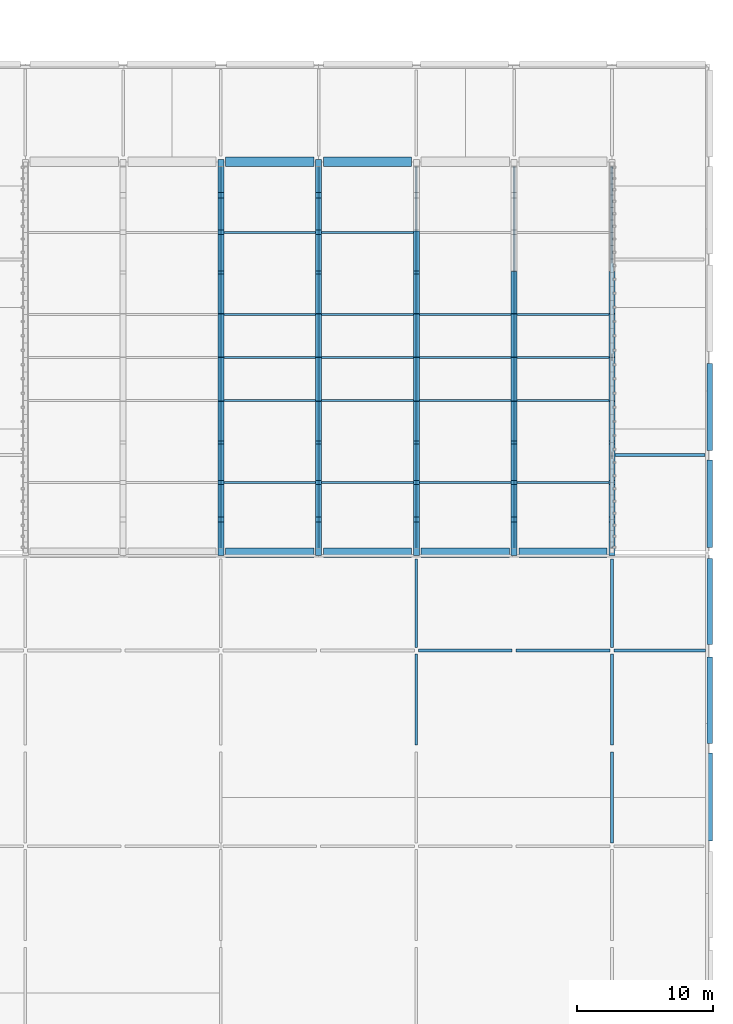
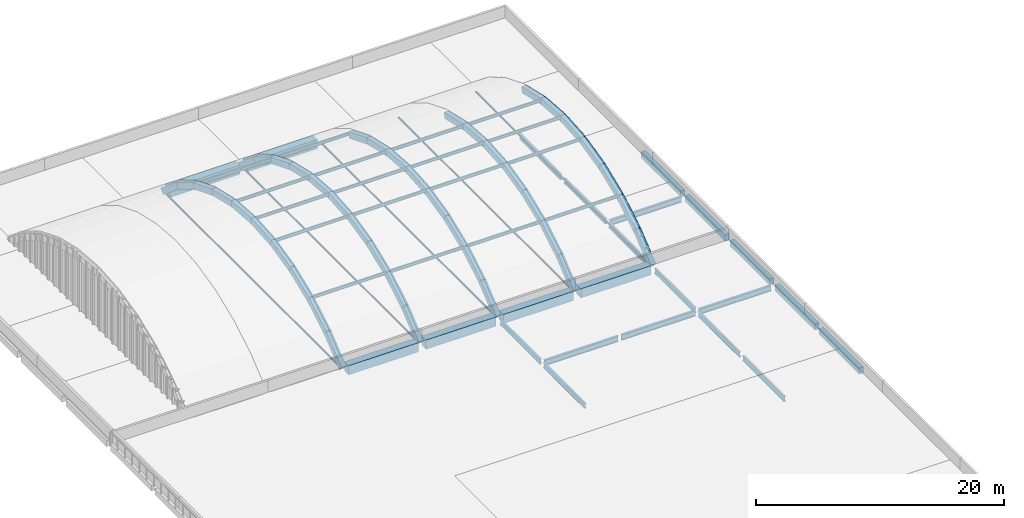
# One storey, part 30 of 71: 83 beams, 5 members.
"""IFC4 building model written with IfcOpenShell, lengths in metres."""

from ifc_helpers import new_model, si_unit, direction, frame, origin, origin_2d, place, context, subcontext, project, spatial, rectangle, hollow_circle, i_section, extrude, material, material_profile, profile_set, type_object, element, save


model = new_model("IFC4")

# Units and contexts
model_context = context("Model", 3, precision=1e-05, world=origin(), true_north=direction((0.0, 1.0)))
body_context = subcontext(model_context, "Body", "Model", "MODEL_VIEW")
ifc_project = project(units=[si_unit("LENGTHUNIT", "METRE"), si_unit("AREAUNIT", "SQUARE_METRE"), si_unit("VOLUMEUNIT", "CUBIC_METRE"), si_unit("PLANEANGLEUNIT", "RADIAN"), si_unit("MASSUNIT", "GRAM", prefix="KILO")], contexts=[model_context])

# Site, building, storey
site_placement = place(None, origin())
site = spatial("IfcSite", under=ifc_project, at=site_placement, CompositionType="ELEMENT")
building_placement = place(site_placement, origin())
building = spatial("IfcBuilding", under=site, at=building_placement, Name="Sardonyx Promenade Sports Hall", CompositionType="ELEMENT")
storey_placement = place(building_placement, frame((0.0, 0.0, 16.0)))
storey = spatial("IfcBuildingStorey", under=building, at=storey_placement, Name="L03", CompositionType="ELEMENT", Elevation=16.0)

# Beams
ifc_material_1 = material(Name="Steel S355JR", Category="steel")
ifc_material_profile_1 = material_profile(ifc_material_1, i_section(OverallWidth=0.199951171875, OverallDepth=0.5, WebThickness=0.01025390625, FlangeThickness=0.01611328125, at=origin_2d()))
ifc_profile_set_1 = profile_set([ifc_material_profile_1], Name="Steel S355JR")
beam_type_1 = type_object("IfcBeamType", Name="Bm_Primary_IPE500", PredefinedType="BEAM", material=ifc_profile_set_1)
beam_1_placement = place(storey_placement, frame((144.0, 36.2451171875, -0.489990234375), z_axis=(0.0, 1.0, 0.0), x_axis=(-1.0, 0.0, 0.0)))
element("IfcBeam", 1, at=beam_1_placement, inside=storey, type_object=beam_type_1, Name="Beam SB06 L03 #908", PredefinedType="BEAM", context=body_context, shape_type="SweptSolid", body=[
    extrude(i_section(OverallWidth=0.199951171875, OverallDepth=0.5, WebThickness=0.01025390625, FlangeThickness=0.01611328125, at=origin_2d()), origin(), (0.0, 0.0, 1.0), 6.7099609375),
])
beam_2_placement = place(storey_placement, frame((144.0, 43.445068359375, -0.489990234375), z_axis=(0.0, 1.0, 0.0), x_axis=(-1.0, 0.0, 0.0)))
element("IfcBeam", 2, at=beam_2_placement, inside=storey, type_object=beam_type_1, Name="Beam SB06 L03 #909", PredefinedType="BEAM", context=body_context, shape_type="SweptSolid", body=[
    extrude(i_section(OverallWidth=0.199951171875, OverallDepth=0.5, WebThickness=0.01025390625, FlangeThickness=0.01611328125, at=origin_2d()), origin(), (0.0, 0.0, 1.0), 6.5048828125),
])
for number, where, z_axis, x_axis, name in (
    (3, (158.39990234375, 29.044921875, -0.489990234375), (0.0, 1.0, 0.0), (-1.0, 0.0, 0.0), "Beam SB06 L03 #916"),
    (4, (158.39990234375, 36.2451171875, -0.489990234375), (0.0, 1.0, 0.0), (-1.0, 0.0, 0.0), "Beam SB06 L03 #917"),
):
    element("IfcBeam", number, at=place(storey_placement, frame(where, z_axis=z_axis, x_axis=x_axis)), inside=storey, type_object=beam_type_1, Name=name, PredefinedType="BEAM", context=body_context, shape_type="SweptSolid", body=[
        extrude(i_section(OverallWidth=0.199951171875, OverallDepth=0.5, WebThickness=0.01025390625, FlangeThickness=0.01611328125, at=origin_2d()), origin(), (0.0, 0.0, 1.0), 6.7099609375),
    ])
for number, where, z_axis, x_axis, name in (
    (5, (158.39990234375, 43.445068359375, -0.489990234375), (0.0, 1.0, 0.0), (-1.0, 0.0, 0.0), "Beam SB06 L03 #918"),
    (6, (158.39990234375, 50.85009765625, -0.47998046875), (0.0, 1.0, 0.0), (-1.0, 0.0, 0.0), "Beam SB06 L03 #919"),
):
    element("IfcBeam", number, at=place(storey_placement, frame(where, z_axis=z_axis, x_axis=x_axis)), inside=storey, type_object=beam_type_1, Name=name, PredefinedType="BEAM", context=body_context, shape_type="SweptSolid", body=[
        extrude(i_section(OverallWidth=0.199951171875, OverallDepth=0.5, WebThickness=0.01025390625, FlangeThickness=0.01611328125, at=origin_2d()), origin(), (0.0, 0.0, 1.0), 6.5048828125),
    ])
for number, where, z_axis, x_axis, name in (
    (7, (158.39990234375, 57.844970703125, -0.47998046875), (0.0, 1.0, 0.0), (-1.0, 0.0, 0.0), "Beam SB06 L03 #920"),
    (8, (158.39990234375, 65.044921875, -0.47998046875), (0.0, 1.0, 0.0), (-1.0, 0.0, 0.0), "Beam SB06 L03 #921"),
):
    element("IfcBeam", number, at=place(storey_placement, frame(where, z_axis=z_axis, x_axis=x_axis)), inside=storey, type_object=beam_type_1, Name=name, PredefinedType="BEAM", context=body_context, shape_type="SweptSolid", body=[
        extrude(i_section(OverallWidth=0.199951171875, OverallDepth=0.5, WebThickness=0.01025390625, FlangeThickness=0.01611328125, at=origin_2d()), origin(), (0.0, 0.0, 1.0), 6.7099609375),
    ])
ifc_material_2 = material(Name="Steel S355JR", Category="steel")
ifc_material_profile_2 = material_profile(ifc_material_2, i_section(OverallWidth=0.2099609375, OverallDepth=0.550048828125, WebThickness=0.010986328125, FlangeThickness=0.01708984375, at=origin_2d()))
ifc_profile_set_2 = profile_set([ifc_material_profile_2], Name="Steel S355JR")
beam_type_2 = type_object("IfcBeamType", Name="Bm_Primary_IPE550", PredefinedType="BEAM", material=ifc_profile_set_2)
beam_3_placement = place(storey_placement, frame((144.14990234375, 43.199951171875, -0.514892578125), z_axis=(1.0, 0.0, 0.0), x_axis=(0.0, 1.0, 0.0)))
element("IfcBeam", 9, at=beam_3_placement, inside=storey, type_object=beam_type_2, Name="Beam SB03 L03 #781", PredefinedType="BEAM", context=body_context, shape_type="SweptSolid", body=[
    extrude(i_section(OverallWidth=0.2099609375, OverallDepth=0.550048828125, WebThickness=0.010986328125, FlangeThickness=0.01708984375, at=origin_2d()), origin(), (0.0, 0.0, 1.0), 6.900146484375),
])
beam_4_placement = place(storey_placement, frame((151.35009765625, 43.199951171875, -0.514892578125), z_axis=(1.0, 0.0, 0.0), x_axis=(0.0, 1.0, 0.0)))
element("IfcBeam", 10, at=beam_4_placement, inside=storey, type_object=beam_type_2, Name="Beam SB03 L03 #782", PredefinedType="BEAM", context=body_context, shape_type="SweptSolid", body=[
    extrude(i_section(OverallWidth=0.2099609375, OverallDepth=0.550048828125, WebThickness=0.010986328125, FlangeThickness=0.01708984375, at=origin_2d()), origin(), (0.0, 0.0, 1.0), 6.89990234375),
])
beam_5_placement = place(storey_placement, frame((158.550048828125, 43.199951171875, -0.514892578125), z_axis=(1.0, 0.0, 0.0), x_axis=(0.0, 1.0, 0.0)))
element("IfcBeam", 11, at=beam_5_placement, inside=storey, type_object=beam_type_2, Name="Beam SB03 L03 #783", PredefinedType="BEAM", context=body_context, shape_type="SweptSolid", body=[
    extrude(i_section(OverallWidth=0.2099609375, OverallDepth=0.550048828125, WebThickness=0.010986328125, FlangeThickness=0.01708984375, at=origin_2d()), origin(), (0.0, 0.0, 1.0), 6.75),
])
beam_6_placement = place(storey_placement, frame((158.550048828125, 57.60009765625, -0.5048828125), z_axis=(1.0, 0.0, 0.0), x_axis=(0.0, 1.0, 0.0)))
element("IfcBeam", 12, at=beam_6_placement, inside=storey, type_object=beam_type_2, Name="Beam SB03 L03 #786", PredefinedType="BEAM", context=body_context, shape_type="SweptSolid", body=[
    extrude(i_section(OverallWidth=0.2099609375, OverallDepth=0.550048828125, WebThickness=0.010986328125, FlangeThickness=0.01708984375, at=origin_2d()), origin(), (0.0, 0.0, 1.0), 6.699951171875),
])
ifc_material_3 = material(Name="Concrete C40/50", Category="concrete")
ifc_material_profile_3 = material_profile(ifc_material_3, rectangle(XDim=0.699951171875, YDim=0.89990234375, at=origin_2d()))
ifc_profile_set_3 = profile_set([ifc_material_profile_3], Name="Concrete C40/50")
beam_type_3 = type_object("IfcBeamType", Name="Bm_Ring_Prac", PredefinedType="BEAM", material=ifc_profile_set_3)
for number, where, z_axis, x_axis, name in (
    (13, (129.945068359375, 50.39990234375, -0.449951171875), (1.0, 0.0, 0.0), (0.0, 1.0, 0.0), "Vault springing ring beam RB2 V2 S3"),
    (14, (129.945068359375, 79.199951171875, -0.449951171875), (1.0, 0.0, 0.0), (0.0, 1.0, 0.0), "Vault springing ring beam RB2 V2 N3"),
    (15, (137.14501953125, 50.39990234375, -0.449951171875), (1.0, 0.0, 0.0), (0.0, 1.0, 0.0), "Vault springing ring beam RB2 V2 S4"),
    (16, (137.14501953125, 79.199951171875, -0.449951171875), (1.0, 0.0, 0.0), (0.0, 1.0, 0.0), "Vault springing ring beam RB2 V2 N4"),
    (17, (144.344970703125, 50.39990234375, -0.449951171875), (1.0, 0.0, 0.0), (0.0, 1.0, 0.0), "Vault springing ring beam RB2 V2 S5"),
    (18, (151.544921875, 50.39990234375, -0.449951171875), (1.0, 0.0, 0.0), (0.0, 1.0, 0.0), "Vault springing ring beam RB2 V2 S6"),
):
    element("IfcBeam", number, at=place(storey_placement, frame(where, z_axis=z_axis, x_axis=x_axis)), inside=storey, type_object=beam_type_3, Name=name, PredefinedType="BEAM", context=body_context, shape_type="SweptSolid", body=[
        extrude(rectangle(XDim=0.699951171875, YDim=0.89990234375, at=origin_2d()), origin(), (0.0, 0.0, 1.0), 6.510009765625),
    ])
ifc_material_4 = material(Name="Concrete C40/50", Category="concrete")
ifc_material_profile_4 = material_profile(ifc_material_4, rectangle(XDim=0.39990234375, YDim=0.60009765625, at=origin_2d()))
ifc_profile_set_4 = profile_set([ifc_material_profile_4], Name="Concrete C40/50")
beam_type_4 = type_object("IfcBeamType", Name="Bm_Spandrel_RC600", PredefinedType="SPANDREL", material=ifc_profile_set_4)
beam_7_placement = place(storey_placement, frame((165.60009765625, 29.199951171875, -0.300048828125), z_axis=(0.0, 1.0, 0.0), x_axis=(-1.0, 0.0, 0.0)))
element("IfcBeam", 19, at=beam_7_placement, inside=storey, type_object=beam_type_4, Name="Beam SPB1 L03 #928", PredefinedType="SPANDREL", context=body_context, shape_type="SweptSolid", body=[
    extrude(rectangle(XDim=0.39990234375, YDim=0.60009765625, at=origin_2d()), origin(), (0.0, 0.0, 1.0), 6.449951171875),
])
beam_8_placement = place(storey_placement, frame((165.60009765625, 36.35009765625, -0.300048828125), z_axis=(0.0, 1.0, 0.0), x_axis=(-1.0, 0.0, 0.0)))
element("IfcBeam", 20, at=beam_8_placement, inside=storey, type_object=beam_type_4, Name="Beam SPB1 L03 #929", PredefinedType="SPANDREL", context=body_context, shape_type="SweptSolid", body=[
    extrude(rectangle(XDim=0.39990234375, YDim=0.60009765625, at=origin_2d()), origin(), (0.0, 0.0, 1.0), 6.39990234375),
])
beam_9_placement = place(storey_placement, frame((165.60009765625, 43.64990234375, -0.300048828125), z_axis=(0.0, 1.0, 0.0), x_axis=(-1.0, 0.0, 0.0)))
element("IfcBeam", 21, at=beam_9_placement, inside=storey, type_object=beam_type_4, Name="Beam SPB1 L03 #930", PredefinedType="SPANDREL", context=body_context, shape_type="SweptSolid", body=[
    extrude(rectangle(XDim=0.39990234375, YDim=0.60009765625, at=origin_2d()), origin(), (0.0, 0.0, 1.0), 6.35009765625),
])
beam_10_placement = place(storey_placement, frame((165.60009765625, 50.800048828125, -0.300048828125), z_axis=(0.0, 1.0, 0.0), x_axis=(-1.0, 0.0, 0.0)))
element("IfcBeam", 22, at=beam_10_placement, inside=storey, type_object=beam_type_4, Name="Beam SPB1 L03 #931", PredefinedType="SPANDREL", context=body_context, shape_type="SweptSolid", body=[
    extrude(rectangle(XDim=0.39990234375, YDim=0.60009765625, at=origin_2d()), origin(), (0.0, 0.0, 1.0), 6.449951171875),
])
beam_11_placement = place(storey_placement, frame((165.60009765625, 57.949951171875, -0.300048828125), z_axis=(0.0, 1.0, 0.0), x_axis=(-1.0, 0.0, 0.0)))
element("IfcBeam", 23, at=beam_11_placement, inside=storey, type_object=beam_type_4, Name="Beam SPB1 L03 #932", PredefinedType="SPANDREL", context=body_context, shape_type="SweptSolid", body=[
    extrude(rectangle(XDim=0.39990234375, YDim=0.60009765625, at=origin_2d()), origin(), (0.0, 0.0, 1.0), 6.400146484375),
])
ifc_material_5 = material(Name="Steel S355JR", Category="steel")
ifc_material_profile_5 = material_profile(ifc_material_5, i_section(OverallWidth=0.14990234375, OverallDepth=0.300048828125, WebThickness=0.007080078125, FlangeThickness=0.0107421875, at=origin_2d()))
ifc_profile_set_5 = profile_set([ifc_material_profile_5], Name="Steel S355JR")
beam_type_5 = type_object("IfcBeamType", Name="Bm_VaultPurlin_Ext", PredefinedType="BEAM", material=ifc_profile_set_5)
for number, where, z_axis, x_axis, name in (
    (24, (129.822998046875, 55.58642578125, 3.47509765625), (1.0, 0.0, 0.0), (0.0, 1.0, 0.0), "Vault longitudinal purlin V2 bay 3 line 2"),
    (25, (129.822998046875, 61.63037109375, 5.38671875), (1.0, 0.0, 0.0), (0.0, 1.0, 0.0), "Vault longitudinal purlin V2 bay 3 line 4"),
    (26, (129.822998046875, 64.800048828125, 5.6298828125), (1.0, 0.0, 0.0), (0.0, 1.0, 0.0), "Vault longitudinal purlin V2 bay 3 line 5"),
    (27, (129.822998046875, 67.969482421875, 5.38671875), (1.0, 0.0, 0.0), (0.0, 1.0, 0.0), "Vault longitudinal purlin V2 bay 3 line 6"),
    (28, (129.822998046875, 74.013671875, 3.47509765625), (1.0, 0.0, 0.0), (0.0, 1.0, 0.0), "Vault longitudinal purlin V2 bay 3 line 8"),
):
    element("IfcBeam", number, at=place(storey_placement, frame(where, z_axis=z_axis, x_axis=x_axis)), inside=storey, type_object=beam_type_5, Name=name, PredefinedType="BEAM", context=body_context, shape_type="SweptSolid", body=[
        extrude(i_section(OverallWidth=0.14990234375, OverallDepth=0.300048828125, WebThickness=0.007080078125, FlangeThickness=0.0107421875, at=origin_2d()), origin(), (0.0, 0.0, 1.0), 6.75390625),
    ])
for number, where, z_axis, x_axis, name in (
    (29, (137.02294921875, 55.58642578125, 3.47509765625), (1.0, 0.0, 0.0), (0.0, 1.0, 0.0), "Vault longitudinal purlin V2 bay 4 line 2"),
    (30, (137.02294921875, 61.63037109375, 5.38671875), (1.0, 0.0, 0.0), (0.0, 1.0, 0.0), "Vault longitudinal purlin V2 bay 4 line 4"),
    (31, (137.02294921875, 64.800048828125, 5.6298828125), (1.0, 0.0, 0.0), (0.0, 1.0, 0.0), "Vault longitudinal purlin V2 bay 4 line 5"),
    (32, (137.02294921875, 67.969482421875, 5.38671875), (1.0, 0.0, 0.0), (0.0, 1.0, 0.0), "Vault longitudinal purlin V2 bay 4 line 6"),
    (33, (137.02294921875, 74.013671875, 3.47509765625), (1.0, 0.0, 0.0), (0.0, 1.0, 0.0), "Vault longitudinal purlin V2 bay 4 line 8"),
    (34, (144.222900390625, 55.58642578125, 3.47509765625), (1.0, 0.0, 0.0), (0.0, 1.0, 0.0), "Vault longitudinal purlin V2 bay 5 line 2"),
    (35, (144.222900390625, 61.63037109375, 5.38671875), (1.0, 0.0, 0.0), (0.0, 1.0, 0.0), "Vault longitudinal purlin V2 bay 5 line 4"),
    (36, (144.222900390625, 64.800048828125, 5.6298828125), (1.0, 0.0, 0.0), (0.0, 1.0, 0.0), "Vault longitudinal purlin V2 bay 5 line 5"),
    (37, (144.222900390625, 67.969482421875, 5.38671875), (1.0, 0.0, 0.0), (0.0, 1.0, 0.0), "Vault longitudinal purlin V2 bay 5 line 6"),
):
    element("IfcBeam", number, at=place(storey_placement, frame(where, z_axis=z_axis, x_axis=x_axis)), inside=storey, type_object=beam_type_5, Name=name, PredefinedType="BEAM", context=body_context, shape_type="SweptSolid", body=[
        extrude(i_section(OverallWidth=0.14990234375, OverallDepth=0.300048828125, WebThickness=0.007080078125, FlangeThickness=0.0107421875, at=origin_2d()), origin(), (0.0, 0.0, 1.0), 6.754150390625),
    ])
for number, where, z_axis, x_axis, name in (
    (38, (151.423095703125, 55.58642578125, 3.47509765625), (1.0, 0.0, 0.0), (0.0, 1.0, 0.0), "Vault longitudinal purlin V2 bay 6 line 2"),
    (39, (151.423095703125, 61.63037109375, 5.38671875), (1.0, 0.0, 0.0), (0.0, 1.0, 0.0), "Vault longitudinal purlin V2 bay 6 line 4"),
    (40, (151.423095703125, 64.800048828125, 5.6298828125), (1.0, 0.0, 0.0), (0.0, 1.0, 0.0), "Vault longitudinal purlin V2 bay 6 line 5"),
    (41, (151.423095703125, 67.969482421875, 5.38671875), (1.0, 0.0, 0.0), (0.0, 1.0, 0.0), "Vault longitudinal purlin V2 bay 6 line 6"),
):
    element("IfcBeam", number, at=place(storey_placement, frame(where, z_axis=z_axis, x_axis=x_axis)), inside=storey, type_object=beam_type_5, Name=name, PredefinedType="BEAM", context=body_context, shape_type="SweptSolid", body=[
        extrude(i_section(OverallWidth=0.14990234375, OverallDepth=0.300048828125, WebThickness=0.007080078125, FlangeThickness=0.0107421875, at=origin_2d()), origin(), (0.0, 0.0, 1.0), 6.75390625),
    ])
ifc_material_6 = material(Name="Concrete C40/50", Category="concrete")
ifc_material_profile_6 = material_profile(ifc_material_6, rectangle(XDim=0.449951171875, YDim=0.60009765625, at=origin_2d()))
ifc_profile_set_6 = profile_set([ifc_material_profile_6], Name="Concrete C40/50")
beam_type_6 = type_object("IfcBeamType", Name="Bm_VaultRib_Prac", PredefinedType="USERDEFINED", material=ifc_profile_set_6)
for number, where, z_axis, x_axis, name in (
    (42, (129.60009765625, 50.39990234375, -0.300048828125), (0.0, 0.771728467273, 0.635952178076), (-1.0, 0.0, 0.0), "Barrel-vault arch rib AR2 Grid 19 chord 1"),
    (43, (129.60009765625, 52.853271484375, 1.7216796875), (0.0, 0.859754640273, 0.510707311998), (-1.0, 0.0, 0.0), "Barrel-vault arch rib AR2 Grid 19 chord 2"),
):
    element("IfcBeam", number, at=place(storey_placement, frame(where, z_axis=z_axis, x_axis=x_axis)), inside=storey, type_object=beam_type_6, Name=name, ObjectType="ARCH RIB", PredefinedType="USERDEFINED", context=body_context, shape_type="SweptSolid", body=[
        extrude(rectangle(XDim=0.449951171875, YDim=0.60009765625, at=origin_2d()), origin(), (0.0, 0.0, 1.0), 3.178955078125),
    ])
beam_12_placement = place(storey_placement, frame((129.60009765625, 55.58642578125, 3.34521484375), z_axis=(0.0, 0.927568165984, 0.373653980915), x_axis=(-1.0, 0.0, 0.0)))
element("IfcBeam", 44, at=beam_12_placement, inside=storey, type_object=beam_type_6, Name="Barrel-vault arch rib AR2 Grid 19 chord 3", ObjectType="ARCH RIB", PredefinedType="USERDEFINED", context=body_context, shape_type="SweptSolid", body=[
    extrude(rectangle(XDim=0.449951171875, YDim=0.60009765625, at=origin_2d()), origin(), (0.0, 0.0, 1.0), 3.1787109375),
])
for number, where, z_axis, x_axis, name in (
    (45, (129.60009765625, 58.534912109375, 4.532958984375), (0.0, 0.973729495591, 0.227707859802), (-1.0, 0.0, 0.0), "Barrel-vault arch rib AR2 Grid 19 chord 4"),
    (46, (129.60009765625, 61.63037109375, 5.2568359375), (0.0, 0.997070275696, 0.076490949287), (-1.0, 0.0, 0.0), "Barrel-vault arch rib AR2 Grid 19 chord 5"),
):
    element("IfcBeam", number, at=place(storey_placement, frame(where, z_axis=z_axis, x_axis=x_axis)), inside=storey, type_object=beam_type_6, Name=name, ObjectType="ARCH RIB", PredefinedType="USERDEFINED", context=body_context, shape_type="SweptSolid", body=[
        extrude(rectangle(XDim=0.449951171875, YDim=0.60009765625, at=origin_2d()), origin(), (0.0, 0.0, 1.0), 3.178955078125),
    ])
beam_13_placement = place(storey_placement, frame((129.60009765625, 64.800048828125, 5.5), z_axis=(0.0, 0.997069826309, -0.076496806887), x_axis=(-1.0, 0.0, 0.0)))
element("IfcBeam", 47, at=beam_13_placement, inside=storey, type_object=beam_type_6, Name="Barrel-vault arch rib AR2 Grid 19 chord 6", ObjectType="ARCH RIB", PredefinedType="USERDEFINED", context=body_context, shape_type="SweptSolid", body=[
    extrude(rectangle(XDim=0.449951171875, YDim=0.60009765625, at=origin_2d()), origin(), (0.0, 0.0, 1.0), 3.1787109375),
])
for number, where, z_axis, x_axis, name in (
    (48, (129.60009765625, 67.969482421875, 5.2568359375), (0.0, 0.973729495591, -0.227707859802), (-1.0, 0.0, 0.0), "Barrel-vault arch rib AR2 Grid 19 chord 7"),
    (49, (129.60009765625, 71.06494140625, 4.532958984375), (0.0, 0.927578888077, -0.373627363015), (-1.0, 0.0, 0.0), "Barrel-vault arch rib AR2 Grid 19 chord 8"),
):
    element("IfcBeam", number, at=place(storey_placement, frame(where, z_axis=z_axis, x_axis=x_axis)), inside=storey, type_object=beam_type_6, Name=name, ObjectType="ARCH RIB", PredefinedType="USERDEFINED", context=body_context, shape_type="SweptSolid", body=[
        extrude(rectangle(XDim=0.449951171875, YDim=0.60009765625, at=origin_2d()), origin(), (0.0, 0.0, 1.0), 3.178955078125),
    ])
beam_14_placement = place(storey_placement, frame((129.60009765625, 74.013671875, 3.34521484375), z_axis=(0.0, 0.859734607661, -0.510741034567), x_axis=(-1.0, 0.0, 0.0)))
element("IfcBeam", 50, at=beam_14_placement, inside=storey, type_object=beam_type_6, Name="Barrel-vault arch rib AR2 Grid 19 chord 9", ObjectType="ARCH RIB", PredefinedType="USERDEFINED", context=body_context, shape_type="SweptSolid", body=[
    extrude(rectangle(XDim=0.449951171875, YDim=0.60009765625, at=origin_2d()), origin(), (0.0, 0.0, 1.0), 3.1787109375),
])
for number, where, z_axis, x_axis, name in (
    (51, (129.60009765625, 76.74658203125, 1.7216796875), (0.0, 0.771728467273, -0.635952178076), (-1.0, 0.0, 0.0), "Barrel-vault arch rib AR2 Grid 19 chord 10"),
    (52, (136.800048828125, 50.39990234375, -0.300048828125), (0.0, 0.771728467273, 0.635952178076), (-1.0, 0.0, 0.0), "Barrel-vault arch rib AR2 Grid 20 chord 1"),
    (53, (136.800048828125, 52.853271484375, 1.7216796875), (0.0, 0.859754640273, 0.510707311998), (-1.0, 0.0, 0.0), "Barrel-vault arch rib AR2 Grid 20 chord 2"),
):
    element("IfcBeam", number, at=place(storey_placement, frame(where, z_axis=z_axis, x_axis=x_axis)), inside=storey, type_object=beam_type_6, Name=name, ObjectType="ARCH RIB", PredefinedType="USERDEFINED", context=body_context, shape_type="SweptSolid", body=[
        extrude(rectangle(XDim=0.449951171875, YDim=0.60009765625, at=origin_2d()), origin(), (0.0, 0.0, 1.0), 3.178955078125),
    ])
beam_15_placement = place(storey_placement, frame((136.800048828125, 55.58642578125, 3.34521484375), z_axis=(0.0, 0.927568165984, 0.373653980915), x_axis=(-1.0, 0.0, 0.0)))
element("IfcBeam", 54, at=beam_15_placement, inside=storey, type_object=beam_type_6, Name="Barrel-vault arch rib AR2 Grid 20 chord 3", ObjectType="ARCH RIB", PredefinedType="USERDEFINED", context=body_context, shape_type="SweptSolid", body=[
    extrude(rectangle(XDim=0.449951171875, YDim=0.60009765625, at=origin_2d()), origin(), (0.0, 0.0, 1.0), 3.1787109375),
])
for number, where, z_axis, x_axis, name in (
    (55, (136.800048828125, 58.534912109375, 4.532958984375), (0.0, 0.973729495591, 0.227707859802), (-1.0, 0.0, 0.0), "Barrel-vault arch rib AR2 Grid 20 chord 4"),
    (56, (136.800048828125, 61.63037109375, 5.2568359375), (0.0, 0.997070275696, 0.076490949287), (-1.0, 0.0, 0.0), "Barrel-vault arch rib AR2 Grid 20 chord 5"),
):
    element("IfcBeam", number, at=place(storey_placement, frame(where, z_axis=z_axis, x_axis=x_axis)), inside=storey, type_object=beam_type_6, Name=name, ObjectType="ARCH RIB", PredefinedType="USERDEFINED", context=body_context, shape_type="SweptSolid", body=[
        extrude(rectangle(XDim=0.449951171875, YDim=0.60009765625, at=origin_2d()), origin(), (0.0, 0.0, 1.0), 3.178955078125),
    ])
beam_16_placement = place(storey_placement, frame((136.800048828125, 64.800048828125, 5.5), z_axis=(0.0, 0.997069826309, -0.076496806887), x_axis=(-1.0, 0.0, 0.0)))
element("IfcBeam", 57, at=beam_16_placement, inside=storey, type_object=beam_type_6, Name="Barrel-vault arch rib AR2 Grid 20 chord 6", ObjectType="ARCH RIB", PredefinedType="USERDEFINED", context=body_context, shape_type="SweptSolid", body=[
    extrude(rectangle(XDim=0.449951171875, YDim=0.60009765625, at=origin_2d()), origin(), (0.0, 0.0, 1.0), 3.1787109375),
])
for number, where, z_axis, x_axis, name in (
    (58, (136.800048828125, 67.969482421875, 5.2568359375), (0.0, 0.973729495591, -0.227707859802), (-1.0, 0.0, 0.0), "Barrel-vault arch rib AR2 Grid 20 chord 7"),
    (59, (136.800048828125, 71.06494140625, 4.532958984375), (0.0, 0.927578888077, -0.373627363015), (-1.0, 0.0, 0.0), "Barrel-vault arch rib AR2 Grid 20 chord 8"),
):
    element("IfcBeam", number, at=place(storey_placement, frame(where, z_axis=z_axis, x_axis=x_axis)), inside=storey, type_object=beam_type_6, Name=name, ObjectType="ARCH RIB", PredefinedType="USERDEFINED", context=body_context, shape_type="SweptSolid", body=[
        extrude(rectangle(XDim=0.449951171875, YDim=0.60009765625, at=origin_2d()), origin(), (0.0, 0.0, 1.0), 3.178955078125),
    ])
beam_17_placement = place(storey_placement, frame((136.800048828125, 74.013671875, 3.34521484375), z_axis=(0.0, 0.859734607661, -0.510741034567), x_axis=(-1.0, 0.0, 0.0)))
element("IfcBeam", 60, at=beam_17_placement, inside=storey, type_object=beam_type_6, Name="Barrel-vault arch rib AR2 Grid 20 chord 9", ObjectType="ARCH RIB", PredefinedType="USERDEFINED", context=body_context, shape_type="SweptSolid", body=[
    extrude(rectangle(XDim=0.449951171875, YDim=0.60009765625, at=origin_2d()), origin(), (0.0, 0.0, 1.0), 3.1787109375),
])
for number, where, z_axis, x_axis, name in (
    (61, (136.800048828125, 76.74658203125, 1.7216796875), (0.0, 0.771728467273, -0.635952178076), (-1.0, 0.0, 0.0), "Barrel-vault arch rib AR2 Grid 20 chord 10"),
    (62, (144.0, 50.39990234375, -0.300048828125), (0.0, 0.771728467273, 0.635952178076), (-1.0, 0.0, 0.0), "Barrel-vault arch rib AR2 Grid 21 chord 1"),
    (63, (144.0, 52.853271484375, 1.7216796875), (0.0, 0.859754640273, 0.510707311998), (-1.0, 0.0, 0.0), "Barrel-vault arch rib AR2 Grid 21 chord 2"),
):
    element("IfcBeam", number, at=place(storey_placement, frame(where, z_axis=z_axis, x_axis=x_axis)), inside=storey, type_object=beam_type_6, Name=name, ObjectType="ARCH RIB", PredefinedType="USERDEFINED", context=body_context, shape_type="SweptSolid", body=[
        extrude(rectangle(XDim=0.449951171875, YDim=0.60009765625, at=origin_2d()), origin(), (0.0, 0.0, 1.0), 3.178955078125),
    ])
beam_18_placement = place(storey_placement, frame((144.0, 55.58642578125, 3.34521484375), z_axis=(0.0, 0.927568165984, 0.373653980915), x_axis=(-1.0, 0.0, 0.0)))
element("IfcBeam", 64, at=beam_18_placement, inside=storey, type_object=beam_type_6, Name="Barrel-vault arch rib AR2 Grid 21 chord 3", ObjectType="ARCH RIB", PredefinedType="USERDEFINED", context=body_context, shape_type="SweptSolid", body=[
    extrude(rectangle(XDim=0.449951171875, YDim=0.60009765625, at=origin_2d()), origin(), (0.0, 0.0, 1.0), 3.1787109375),
])
for number, where, z_axis, x_axis, name in (
    (65, (144.0, 58.534912109375, 4.532958984375), (0.0, 0.973729495591, 0.227707859802), (-1.0, 0.0, 0.0), "Barrel-vault arch rib AR2 Grid 21 chord 4"),
    (66, (144.0, 61.63037109375, 5.2568359375), (0.0, 0.997070275696, 0.076490949287), (-1.0, 0.0, 0.0), "Barrel-vault arch rib AR2 Grid 21 chord 5"),
):
    element("IfcBeam", number, at=place(storey_placement, frame(where, z_axis=z_axis, x_axis=x_axis)), inside=storey, type_object=beam_type_6, Name=name, ObjectType="ARCH RIB", PredefinedType="USERDEFINED", context=body_context, shape_type="SweptSolid", body=[
        extrude(rectangle(XDim=0.449951171875, YDim=0.60009765625, at=origin_2d()), origin(), (0.0, 0.0, 1.0), 3.178955078125),
    ])
beam_19_placement = place(storey_placement, frame((144.0, 64.800048828125, 5.5), z_axis=(0.0, 0.997069826309, -0.076496806887), x_axis=(-1.0, 0.0, 0.0)))
element("IfcBeam", 67, at=beam_19_placement, inside=storey, type_object=beam_type_6, Name="Barrel-vault arch rib AR2 Grid 21 chord 6", ObjectType="ARCH RIB", PredefinedType="USERDEFINED", context=body_context, shape_type="SweptSolid", body=[
    extrude(rectangle(XDim=0.449951171875, YDim=0.60009765625, at=origin_2d()), origin(), (0.0, 0.0, 1.0), 3.1787109375),
])
for number, where, z_axis, x_axis, name in (
    (68, (144.0, 67.969482421875, 5.2568359375), (0.0, 0.973729495591, -0.227707859802), (-1.0, 0.0, 0.0), "Barrel-vault arch rib AR2 Grid 21 chord 7"),
    (69, (144.0, 71.06494140625, 4.532958984375), (0.0, 0.927578888077, -0.373627363015), (-1.0, 0.0, 0.0), "Barrel-vault arch rib AR2 Grid 21 chord 8"),
    (70, (151.199951171875, 50.39990234375, -0.300048828125), (0.0, 0.771728467273, 0.635952178076), (-1.0, 0.0, 0.0), "Barrel-vault arch rib AR2 Grid 22 chord 1"),
    (71, (151.199951171875, 52.853271484375, 1.7216796875), (0.0, 0.859754640273, 0.510707311998), (-1.0, 0.0, 0.0), "Barrel-vault arch rib AR2 Grid 22 chord 2"),
):
    element("IfcBeam", number, at=place(storey_placement, frame(where, z_axis=z_axis, x_axis=x_axis)), inside=storey, type_object=beam_type_6, Name=name, ObjectType="ARCH RIB", PredefinedType="USERDEFINED", context=body_context, shape_type="SweptSolid", body=[
        extrude(rectangle(XDim=0.449951171875, YDim=0.60009765625, at=origin_2d()), origin(), (0.0, 0.0, 1.0), 3.178955078125),
    ])
beam_20_placement = place(storey_placement, frame((151.199951171875, 55.58642578125, 3.34521484375), z_axis=(0.0, 0.927568165984, 0.373653980915), x_axis=(-1.0, 0.0, 0.0)))
element("IfcBeam", 72, at=beam_20_placement, inside=storey, type_object=beam_type_6, Name="Barrel-vault arch rib AR2 Grid 22 chord 3", ObjectType="ARCH RIB", PredefinedType="USERDEFINED", context=body_context, shape_type="SweptSolid", body=[
    extrude(rectangle(XDim=0.449951171875, YDim=0.60009765625, at=origin_2d()), origin(), (0.0, 0.0, 1.0), 3.1787109375),
])
for number, where, z_axis, x_axis, name in (
    (73, (151.199951171875, 58.534912109375, 4.532958984375), (0.0, 0.973729495591, 0.227707859802), (-1.0, 0.0, 0.0), "Barrel-vault arch rib AR2 Grid 22 chord 4"),
    (74, (151.199951171875, 61.63037109375, 5.2568359375), (0.0, 0.997070275696, 0.076490949287), (-1.0, 0.0, 0.0), "Barrel-vault arch rib AR2 Grid 22 chord 5"),
):
    element("IfcBeam", number, at=place(storey_placement, frame(where, z_axis=z_axis, x_axis=x_axis)), inside=storey, type_object=beam_type_6, Name=name, ObjectType="ARCH RIB", PredefinedType="USERDEFINED", context=body_context, shape_type="SweptSolid", body=[
        extrude(rectangle(XDim=0.449951171875, YDim=0.60009765625, at=origin_2d()), origin(), (0.0, 0.0, 1.0), 3.178955078125),
    ])
beam_21_placement = place(storey_placement, frame((151.199951171875, 64.800048828125, 5.5), z_axis=(0.0, 0.997069826309, -0.076496806887), x_axis=(-1.0, 0.0, 0.0)))
element("IfcBeam", 75, at=beam_21_placement, inside=storey, type_object=beam_type_6, Name="Barrel-vault arch rib AR2 Grid 22 chord 6", ObjectType="ARCH RIB", PredefinedType="USERDEFINED", context=body_context, shape_type="SweptSolid", body=[
    extrude(rectangle(XDim=0.449951171875, YDim=0.60009765625, at=origin_2d()), origin(), (0.0, 0.0, 1.0), 3.1787109375),
])
for number, where, z_axis, x_axis, name in (
    (76, (151.199951171875, 67.969482421875, 5.2568359375), (0.0, 0.973729495591, -0.227707859802), (-1.0, 0.0, 0.0), "Barrel-vault arch rib AR2 Grid 22 chord 7"),
    (77, (158.39990234375, 50.39990234375, -0.300048828125), (0.0, 0.771728467273, 0.635952178076), (-1.0, 0.0, 0.0), "Barrel-vault arch rib AR2 Grid 23 chord 1"),
    (78, (158.39990234375, 52.853271484375, 1.7216796875), (0.0, 0.859754640273, 0.510707311998), (-1.0, 0.0, 0.0), "Barrel-vault arch rib AR2 Grid 23 chord 2"),
):
    element("IfcBeam", number, at=place(storey_placement, frame(where, z_axis=z_axis, x_axis=x_axis)), inside=storey, type_object=beam_type_6, Name=name, ObjectType="ARCH RIB", PredefinedType="USERDEFINED", context=body_context, shape_type="SweptSolid", body=[
        extrude(rectangle(XDim=0.449951171875, YDim=0.60009765625, at=origin_2d()), origin(), (0.0, 0.0, 1.0), 3.178955078125),
    ])
beam_22_placement = place(storey_placement, frame((158.39990234375, 55.58642578125, 3.34521484375), z_axis=(0.0, 0.927568165984, 0.373653980915), x_axis=(-1.0, 0.0, 0.0)))
element("IfcBeam", 79, at=beam_22_placement, inside=storey, type_object=beam_type_6, Name="Barrel-vault arch rib AR2 Grid 23 chord 3", ObjectType="ARCH RIB", PredefinedType="USERDEFINED", context=body_context, shape_type="SweptSolid", body=[
    extrude(rectangle(XDim=0.449951171875, YDim=0.60009765625, at=origin_2d()), origin(), (0.0, 0.0, 1.0), 3.1787109375),
])
for number, where, z_axis, x_axis, name in (
    (80, (158.39990234375, 58.534912109375, 4.532958984375), (0.0, 0.973729495591, 0.227707859802), (-1.0, 0.0, 0.0), "Barrel-vault arch rib AR2 Grid 23 chord 4"),
    (81, (158.39990234375, 61.63037109375, 5.2568359375), (0.0, 0.997070275696, 0.076490949287), (-1.0, 0.0, 0.0), "Barrel-vault arch rib AR2 Grid 23 chord 5"),
):
    element("IfcBeam", number, at=place(storey_placement, frame(where, z_axis=z_axis, x_axis=x_axis)), inside=storey, type_object=beam_type_6, Name=name, ObjectType="ARCH RIB", PredefinedType="USERDEFINED", context=body_context, shape_type="SweptSolid", body=[
        extrude(rectangle(XDim=0.449951171875, YDim=0.60009765625, at=origin_2d()), origin(), (0.0, 0.0, 1.0), 3.178955078125),
    ])
beam_23_placement = place(storey_placement, frame((158.39990234375, 64.800048828125, 5.5), z_axis=(0.0, 0.997069826309, -0.076496806887), x_axis=(-1.0, 0.0, 0.0)))
element("IfcBeam", 82, at=beam_23_placement, inside=storey, type_object=beam_type_6, Name="Barrel-vault arch rib AR2 Grid 23 chord 6", ObjectType="ARCH RIB", PredefinedType="USERDEFINED", context=body_context, shape_type="SweptSolid", body=[
    extrude(rectangle(XDim=0.449951171875, YDim=0.60009765625, at=origin_2d()), origin(), (0.0, 0.0, 1.0), 3.1787109375),
])
beam_24_placement = place(storey_placement, frame((158.39990234375, 67.969482421875, 5.2568359375), z_axis=(0.0, 0.973729495591, -0.227707859802), x_axis=(-1.0, 0.0, 0.0)))
element("IfcBeam", 83, at=beam_24_placement, inside=storey, type_object=beam_type_6, Name="Barrel-vault arch rib AR2 Grid 23 chord 7", ObjectType="ARCH RIB", PredefinedType="USERDEFINED", context=body_context, shape_type="SweptSolid", body=[
    extrude(rectangle(XDim=0.449951171875, YDim=0.60009765625, at=origin_2d()), origin(), (0.0, 0.0, 1.0), 3.178955078125),
])

# Members
ifc_material_7 = material(Name="Steel S355JR", Category="steel")
ifc_material_profile_7 = material_profile(ifc_material_7, hollow_circle(Radius=0.084228515625, WallThickness=0.008056640625, at=origin_2d()))
ifc_profile_set_7 = profile_set([ifc_material_profile_7], Name="Steel S355JR")
member_type = type_object("IfcMemberType", Name="Mbr_VaultTie_CHS168", PredefinedType="CHORD", material=ifc_profile_set_7)
for number, where, z_axis, x_axis, name in (
    (84, (129.60009765625, 50.75, -0.449951171875), (0.0, 1.0, 0.0), (-1.0, 0.0, 0.0), "Vault springing tie-rod VT02 Grid 19"),
    (85, (136.800048828125, 50.75, -0.449951171875), (0.0, 1.0, 0.0), (-1.0, 0.0, 0.0), "Vault springing tie-rod VT02 Grid 20"),
    (86, (144.0, 50.75, -0.449951171875), (0.0, 1.0, 0.0), (-1.0, 0.0, 0.0), "Vault springing tie-rod VT02 Grid 21"),
    (87, (151.199951171875, 50.75, -0.449951171875), (0.0, 1.0, 0.0), (-1.0, 0.0, 0.0), "Vault springing tie-rod VT02 Grid 22"),
    (88, (158.39990234375, 50.75, -0.449951171875), (0.0, 1.0, 0.0), (-1.0, 0.0, 0.0), "Vault springing tie-rod VT02 Grid 23"),
):
    element("IfcMember", number, at=place(storey_placement, frame(where, z_axis=z_axis, x_axis=x_axis)), inside=storey, type_object=member_type, Name=name, PredefinedType="CHORD", context=body_context, shape_type="SweptSolid", body=[
        extrude(hollow_circle(Radius=0.084228515625, WallThickness=0.008056640625, at=origin_2d()), origin(), (0.0, 0.0, 1.0), 28.10009765625),
    ])

save(model, "model.ifc")
